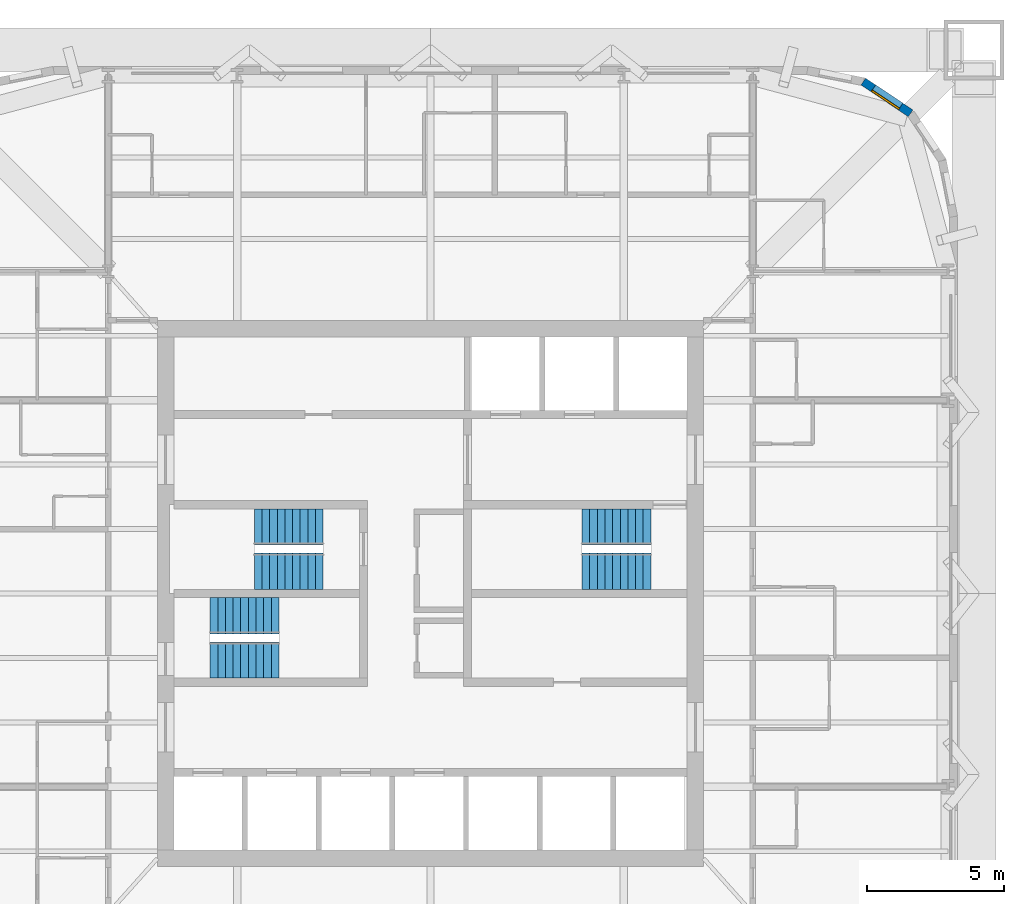
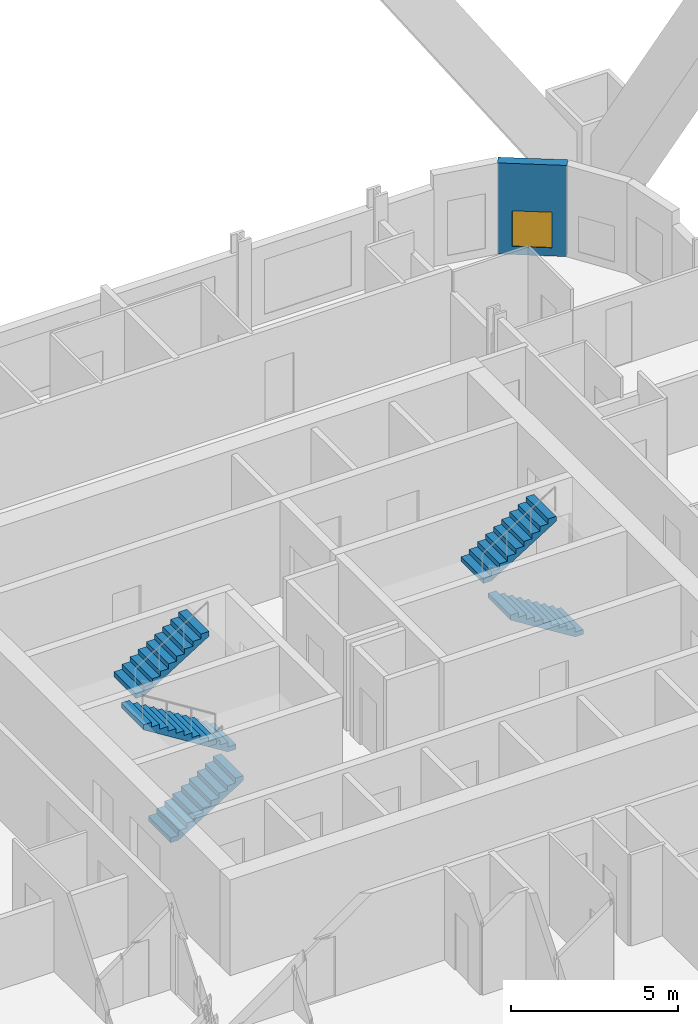
# One storey, part 8 of 9: 6 stair flights, 1 wall, 1 window, 1 opening, 3 elements without a shape of their own.
"""IFC4 building model written with IfcOpenShell, lengths in metres."""

from ifc_helpers import new_model, si_unit, direction, frame, frame_2d, origin, place, context, subcontext, project, spatial, polyline, rectangle, outline, extrude, material, layer, layer_set, type_object, element, fill, aggregate, save


model = new_model("IFC4")

# Units and contexts
model_context = context("Model", 3, precision=1e-05, world=origin(), true_north=direction((0.0, 1.0)))
body_context = subcontext(model_context, "Body", "Model", "MODEL_VIEW")
ifc_project = project(units=[si_unit("LENGTHUNIT", "METRE"), si_unit("AREAUNIT", "SQUARE_METRE"), si_unit("VOLUMEUNIT", "CUBIC_METRE"), si_unit("PLANEANGLEUNIT", "RADIAN"), si_unit("MASSUNIT", "GRAM", prefix="KILO")], contexts=[model_context])

# Site, building, storey
site_placement = place(None, origin())
site = spatial("IfcSite", under=ifc_project, at=site_placement, CompositionType="ELEMENT")
building_placement = place(site_placement, origin())
building = spatial("IfcBuilding", under=site, at=building_placement, Name="Turquesa Mirador Hotel Tower", CompositionType="ELEMENT")
storey_placement = place(building_placement, frame((0.0, 0.0, 161.800048828125)))
storey = spatial("IfcBuildingStorey", under=building, at=storey_placement, Name="L43", CompositionType="ELEMENT", Elevation=161.800048828125)

# Wall, opening, window
ifc_material_1 = material(Name="Limestone cladding on concrete block", Category="masonry")
ifc_layer = layer(ifc_material_1, 0.300048828125)
ifc_layer_set = layer_set([ifc_layer], Name="FACADE WALL 300 STONE SCREEN")
wall_type = type_object("IfcWallType", Name="FACADE WALL 300 STONE SCREEN", PredefinedType="SOLIDWALL", material=ifc_layer_set)
wall_placement = place(storey_placement, frame((72.5830078125, 62.5830078125, 0.0), z_axis=(0.0, 0.0, 1.0), x_axis=(-0.831474039234, 0.555563607591, 0.0)))
wall = element("IfcWall", 1, at=wall_placement, inside=storey, type_object=wall_type, Name="Facade wall L43 07", PredefinedType="SOLIDWALL", context=body_context, shape_type="SweptSolid", body=[
    extrude(rectangle(XDim=2.08740234375, YDim=0.300048828125, at=frame_2d((1.043701171875, 0.0))), origin(), (0.0, 0.0, 1.0), 3.329833984375),
])
opening_placement = place(wall_placement, frame((0.443603515625, 0.0, 0.300048828125)))
opening = element("IfcOpeningElement", 2, at=opening_placement, cuts=wall, Name="Opening WN24", PredefinedType="OPENING", context=body_context, shape_type="SweptSolid", body=[
    extrude(rectangle(XDim=1.199951171875, YDim=1.300048828125, at=frame_2d((0.60009765625, 0.64990234375))), frame((0.0, 0.159912109375, 0.0), z_axis=(0.0, -1.0, 0.0), x_axis=(1.0, 0.0, 0.0)), (0.0, 0.0, 1.0), 0.320068359375),
])
ifc_material_2 = material(Name="Ceramic-fritted laminated glass", Category="glass")
window_type = type_object("IfcWindowType", Name="FRITTED CORNER WINDOW 1200X1300", PartitioningType="DOUBLE_PANEL_HORIZONTAL", PredefinedType="WINDOW", material=ifc_material_2)
window_placement = place(opening_placement, origin())
window = element("IfcWindow", 3, at=window_placement, inside=storey, type_object=window_type, Name="Window L43", OverallHeight=1.300048828125, OverallWidth=1.199951171875, PartitioningType="SINGLE_PANEL", PredefinedType="WINDOW", context=body_context, shape_type="SweptSolid", body=[
    extrude(rectangle(XDim=1.199951171875, YDim=1.300048828125, at=frame_2d((0.60009765625, 0.64990234375))), frame((0.0, 0.130126953125, 0.0), z_axis=(0.0, -1.0, 0.0), x_axis=(1.0, 0.0, 0.0)), (0.0, 0.0, 1.0), 0.06005859375),
])
fill(opening, window)

# Stair, stair flights
ifc_material_3 = material(Name="Concrete C35/45", Category="concrete")
stair_type = type_object("IfcStairType", Name="ESCAPE STAIR CORE", PredefinedType="HALF_TURN_STAIR", material=ifc_material_3)
stair_1_placement = place(storey_placement, origin())
stair_1 = element("IfcStair", 4, at=stair_1_placement, inside=storey, type_object=stair_type, Name="Stair ST1 L43 to L44", PredefinedType="HALF_TURN_STAIR")
ifc_material_4 = material(Name="Concrete C35/45 precast flight", Category="concrete")
stair_flight_type = type_object("IfcStairFlightType", Name="STAIR FLIGHT 1330", PredefinedType="STRAIGHT", material=ifc_material_4)
stair_flight_1_placement = place(storey_placement, frame((51.070068359375, 45.81494140625, 0.0), z_axis=(0.0, 0.0, 1.0), x_axis=(-1.0, 0.0, 0.0)))
stair_flight_1 = element("IfcStairFlight", 5, at=stair_flight_1_placement, type_object=stair_flight_type, Name="ST1 flight 1", NumberOfRisers=10, NumberOfTreads=9, PredefinedType="STRAIGHT", RiserHeight=0.175, TreadLength=0.28, context=body_context, shape_type="SweptSolid", body=[
    extrude(outline(polyline([(0.0, 0.0), (0.0, 0.175048828125), (0.280029296875, 0.175048828125), (0.280029296875, 0.35009765625), (0.56005859375, 0.35009765625), (0.56005859375, 0.52490234375), (0.840087890625, 0.52490234375), (0.840087890625, 0.699951171875), (1.1201171875, 0.699951171875), (1.1201171875, 0.875), (1.39990234375, 0.875), (1.39990234375, 1.050048828125), (1.679931640625, 1.050048828125), (1.679931640625, 1.22509765625), (1.9599609375, 1.22509765625), (1.9599609375, 1.39990234375), (2.239990234375, 1.39990234375), (2.239990234375, 1.574951171875), (2.52001953125, 1.574951171875), (2.52001953125, 1.75), (2.52001953125, 1.398193359375), (0.28271484375, 0.0), (0.0, 0.0)])), frame((0.0, 0.6650390625, 0.0), z_axis=(0.0, -1.0, 0.0), x_axis=(1.0, 0.0, 0.0)), (0.0, 0.0, 1.0), 1.330078125),
])
stair_flight_2_placement = place(storey_placement, frame((48.550048828125, 47.43505859375, 1.75), z_axis=(0.0, 0.0, 1.0), x_axis=(1.0, 0.0, 0.0)))
stair_flight_2 = element("IfcStairFlight", 6, at=stair_flight_2_placement, type_object=stair_flight_type, Name="ST1 flight 2", NumberOfRisers=10, NumberOfTreads=9, PredefinedType="STRAIGHT", RiserHeight=0.175, TreadLength=0.28, context=body_context, shape_type="SweptSolid", body=[
    extrude(outline(polyline([(0.0, 0.0), (0.0, 0.175048828125), (0.280029296875, 0.175048828125), (0.280029296875, 0.35009765625), (0.56005859375, 0.35009765625), (0.56005859375, 0.52490234375), (0.840087890625, 0.52490234375), (0.840087890625, 0.699951171875), (1.1201171875, 0.699951171875), (1.1201171875, 0.875), (1.39990234375, 0.875), (1.39990234375, 1.050048828125), (1.679931640625, 1.050048828125), (1.679931640625, 1.22509765625), (1.9599609375, 1.22509765625), (1.9599609375, 1.39990234375), (2.239990234375, 1.39990234375), (2.239990234375, 1.574951171875), (2.52001953125, 1.574951171875), (2.52001953125, 1.75), (2.52001953125, 1.398193359375), (0.28271484375, 0.0), (0.0, 0.0)])), frame((0.0, 0.6650390625, 0.0), z_axis=(0.0, -1.0, 0.0), x_axis=(1.0, 0.0, 0.0)), (0.0, 0.0, 1.0), 1.330078125),
])
aggregate(stair_1, [stair_flight_1, stair_flight_2])

stair_2_placement = place(storey_placement, origin())
stair_2 = element("IfcStair", 7, at=stair_2_placement, inside=storey, type_object=stair_type, Name="Stair ST2 L43 to L44", PredefinedType="HALF_TURN_STAIR")
stair_flight_3_placement = place(storey_placement, frame((46.929931640625, 42.56494140625, 0.0), z_axis=(0.0, 0.0, 1.0), x_axis=(1.0, 0.0, 0.0)))
stair_flight_3 = element("IfcStairFlight", 8, at=stair_flight_3_placement, type_object=stair_flight_type, Name="ST2 flight 1", NumberOfRisers=10, NumberOfTreads=9, PredefinedType="STRAIGHT", RiserHeight=0.175, TreadLength=0.28, context=body_context, shape_type="SweptSolid", body=[
    extrude(outline(polyline([(0.0, 0.0), (0.0, 0.175048828125), (0.280029296875, 0.175048828125), (0.280029296875, 0.35009765625), (0.56005859375, 0.35009765625), (0.56005859375, 0.52490234375), (0.840087890625, 0.52490234375), (0.840087890625, 0.699951171875), (1.1201171875, 0.699951171875), (1.1201171875, 0.875), (1.39990234375, 0.875), (1.39990234375, 1.050048828125), (1.679931640625, 1.050048828125), (1.679931640625, 1.22509765625), (1.9599609375, 1.22509765625), (1.9599609375, 1.39990234375), (2.239990234375, 1.39990234375), (2.239990234375, 1.574951171875), (2.52001953125, 1.574951171875), (2.52001953125, 1.75), (2.52001953125, 1.398193359375), (0.28271484375, 0.0), (0.0, 0.0)])), frame((0.0, 0.6650390625, 0.0), z_axis=(0.0, -1.0, 0.0), x_axis=(1.0, 0.0, 0.0)), (0.0, 0.0, 1.0), 1.330078125),
])
stair_flight_4_placement = place(storey_placement, frame((49.449951171875, 44.18505859375, 1.75), z_axis=(0.0, 0.0, 1.0), x_axis=(-1.0, 0.0, 0.0)))
stair_flight_4 = element("IfcStairFlight", 9, at=stair_flight_4_placement, type_object=stair_flight_type, Name="ST2 flight 2", NumberOfRisers=10, NumberOfTreads=9, PredefinedType="STRAIGHT", RiserHeight=0.175, TreadLength=0.28, context=body_context, shape_type="SweptSolid", body=[
    extrude(outline(polyline([(0.0, 0.0), (0.0, 0.175048828125), (0.280029296875, 0.175048828125), (0.280029296875, 0.35009765625), (0.56005859375, 0.35009765625), (0.56005859375, 0.52490234375), (0.840087890625, 0.52490234375), (0.840087890625, 0.699951171875), (1.1201171875, 0.699951171875), (1.1201171875, 0.875), (1.39990234375, 0.875), (1.39990234375, 1.050048828125), (1.679931640625, 1.050048828125), (1.679931640625, 1.22509765625), (1.9599609375, 1.22509765625), (1.9599609375, 1.39990234375), (2.239990234375, 1.39990234375), (2.239990234375, 1.574951171875), (2.52001953125, 1.574951171875), (2.52001953125, 1.75), (2.52001953125, 1.398193359375), (0.28271484375, 0.0), (0.0, 0.0)])), frame((0.0, 0.6650390625, 0.0), z_axis=(0.0, -1.0, 0.0), x_axis=(1.0, 0.0, 0.0)), (0.0, 0.0, 1.0), 1.330078125),
])
aggregate(stair_2, [stair_flight_3, stair_flight_4])

stair_3_placement = place(storey_placement, origin())
stair_3 = element("IfcStair", 10, at=stair_3_placement, inside=storey, type_object=stair_type, Name="Stair ST3 L43 to L44", PredefinedType="HALF_TURN_STAIR")
stair_flight_5_placement = place(storey_placement, frame((63.070068359375, 45.81494140625, 0.0), z_axis=(0.0, 0.0, 1.0), x_axis=(-1.0, 0.0, 0.0)))
stair_flight_5 = element("IfcStairFlight", 11, at=stair_flight_5_placement, type_object=stair_flight_type, Name="ST3 flight 1", NumberOfRisers=10, NumberOfTreads=9, PredefinedType="STRAIGHT", RiserHeight=0.175, TreadLength=0.28, context=body_context, shape_type="SweptSolid", body=[
    extrude(outline(polyline([(0.0, 0.0), (0.0, 0.175048828125), (0.280029296875, 0.175048828125), (0.280029296875, 0.35009765625), (0.56005859375, 0.35009765625), (0.56005859375, 0.52490234375), (0.840087890625, 0.52490234375), (0.840087890625, 0.699951171875), (1.1201171875, 0.699951171875), (1.1201171875, 0.875), (1.39990234375, 0.875), (1.39990234375, 1.050048828125), (1.679931640625, 1.050048828125), (1.679931640625, 1.22509765625), (1.9599609375, 1.22509765625), (1.9599609375, 1.39990234375), (2.239990234375, 1.39990234375), (2.239990234375, 1.574951171875), (2.52001953125, 1.574951171875), (2.52001953125, 1.75), (2.52001953125, 1.398193359375), (0.28271484375, 0.0), (0.0, 0.0)])), frame((0.0, 0.6650390625, 0.0), z_axis=(0.0, -1.0, 0.0), x_axis=(1.0, 0.0, 0.0)), (0.0, 0.0, 1.0), 1.330078125),
])
stair_flight_6_placement = place(storey_placement, frame((60.550048828125, 47.43505859375, 1.75), z_axis=(0.0, 0.0, 1.0), x_axis=(1.0, 0.0, 0.0)))
stair_flight_6 = element("IfcStairFlight", 12, at=stair_flight_6_placement, type_object=stair_flight_type, Name="ST3 flight 2", NumberOfRisers=10, NumberOfTreads=9, PredefinedType="STRAIGHT", RiserHeight=0.175, TreadLength=0.28, context=body_context, shape_type="SweptSolid", body=[
    extrude(outline(polyline([(0.0, 0.0), (0.0, 0.175048828125), (0.280029296875, 0.175048828125), (0.280029296875, 0.35009765625), (0.56005859375, 0.35009765625), (0.56005859375, 0.52490234375), (0.840087890625, 0.52490234375), (0.840087890625, 0.699951171875), (1.1201171875, 0.699951171875), (1.1201171875, 0.875), (1.39990234375, 0.875), (1.39990234375, 1.050048828125), (1.679931640625, 1.050048828125), (1.679931640625, 1.22509765625), (1.9599609375, 1.22509765625), (1.9599609375, 1.39990234375), (2.239990234375, 1.39990234375), (2.239990234375, 1.574951171875), (2.52001953125, 1.574951171875), (2.52001953125, 1.75), (2.52001953125, 1.398193359375), (0.28271484375, 0.0), (0.0, 0.0)])), frame((0.0, 0.6650390625, 0.0), z_axis=(0.0, -1.0, 0.0), x_axis=(1.0, 0.0, 0.0)), (0.0, 0.0, 1.0), 1.330078125),
])
aggregate(stair_3, [stair_flight_5, stair_flight_6])

save(model, "model.ifc")
